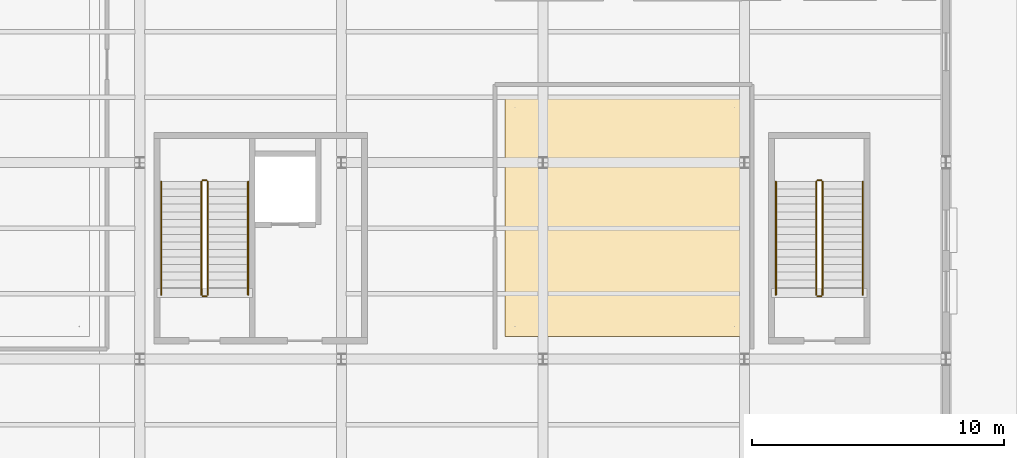
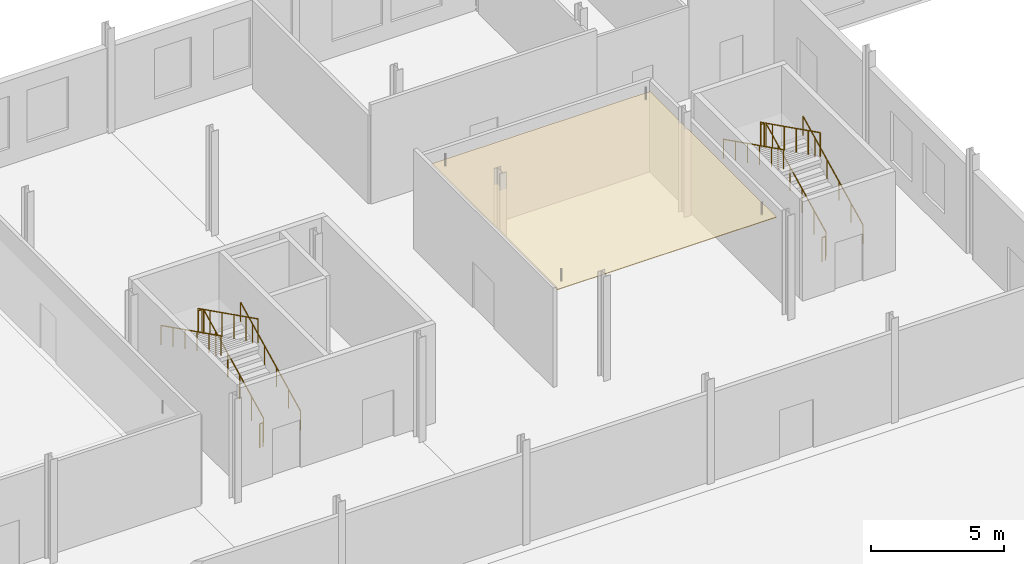
# One storey, part 77 of 82: 12 railings, 1 covering.
"""IFC4 building model written with IfcOpenShell, lengths in metres."""

from ifc_helpers import new_model, si_unit, direction, frame, origin, origin_2d, place, context, subcontext, project, spatial, polyline, circle, outline, extrude, material, layer, layer_set, type_object, element, save


model = new_model("IFC4")

# Units and contexts
model_context = context("Model", 3, precision=1e-05, world=origin(), true_north=direction((0.0, 1.0)))
body_context = subcontext(model_context, "Body", "Model", "MODEL_VIEW")
ifc_project = project(units=[si_unit("LENGTHUNIT", "METRE"), si_unit("AREAUNIT", "SQUARE_METRE"), si_unit("VOLUMEUNIT", "CUBIC_METRE"), si_unit("PLANEANGLEUNIT", "RADIAN"), si_unit("MASSUNIT", "GRAM", prefix="KILO")], contexts=[model_context])

# Site, building, storey
site_placement = place(None, origin())
site = spatial("IfcSite", under=ifc_project, at=site_placement, CompositionType="ELEMENT")
building_placement = place(site_placement, origin())
building = spatial("IfcBuilding", under=site, at=building_placement, Name="Yukiwa Park Conservatory and Herbarium", CompositionType="ELEMENT")
storey_placement = place(building_placement, origin())
storey = spatial("IfcBuildingStorey", under=building, at=storey_placement, Name="L00", CompositionType="ELEMENT", Elevation=0.0)

# Covering
ifc_material_1 = material(Name="Acoustic Mineral Fibre Ceiling")
ifc_layer_1 = layer(ifc_material_1, 0.030029296875)
ifc_layer_set_1 = layer_set([ifc_layer_1], Name="Acoustic Mineral Fibre Ceiling")
covering_type = type_object("IfcCoveringType", Name="COV-CEIL-ACOUSTIC", PredefinedType="CEILING", material=ifc_layer_set_1)
covering_placement = place(storey_placement, frame((0.0, 0.0, 4.0)))
element("IfcCovering", 1, at=covering_placement, inside=storey, type_object=covering_type, Name="L00 acoustic suspended ceiling CLG-L00-EXH", PredefinedType="CEILING", context=body_context, shape_type="SweptSolid", body=[
    extrude(outline(polyline([(90.5, 55.5), (100.0, 55.5), (100.0, 65.0), (90.5, 65.0), (90.5, 55.5)])), origin(), (0.0, 0.0, 1.0), 0.030029296875),
])

# Railings
ifc_material_2 = material(Name="Steel Q235B", Category="steel")
ifc_layer_2 = layer(ifc_material_2, 0.050048828125)
ifc_layer_set_2 = layer_set([ifc_layer_2], Name="Steel Q235B")
railing_type_1 = type_object("IfcRailingType", Name="RL-STAIR-GUARD-1120", PredefinedType="BALUSTRADE", material=ifc_layer_set_2)
railing_1_placement = place(storey_placement, frame((78.699951171875, 57.14990234375, 0.14990234375)))
element("IfcRailing", 2, at=railing_1_placement, inside=storey, type_object=railing_type_1, Name="L00 ST-V1 stair guard 1", PredefinedType="BALUSTRADE", context=body_context, shape_type="SweptSolid", body=[
    extrude(circle(Radius=0.02392578125, at=origin_2d()), frame((0.0, 0.0, 1.09619140625), z_axis=(0.0, 0.894427191, 0.4472135955), x_axis=(-1.0, 0.0, 0.0)), (0.0, 0.0, 1.0), 5.03125),
    extrude(circle(Radius=0.02099609375, at=origin_2d()), origin(), (0.0, 0.0, 1.0), 1.072021484375),
    extrude(circle(Radius=0.02099609375, at=origin_2d()), frame((0.0, 0.89990234375, 0.449951171875)), (0.0, 0.0, 1.0), 1.072021484375),
    extrude(circle(Radius=0.02099609375, at=origin_2d()), frame((0.0, 1.800048828125, 0.89990234375)), (0.0, 0.0, 1.0), 1.072021484375),
    extrude(circle(Radius=0.02099609375, at=origin_2d()), frame((0.0, 2.699951171875, 1.35009765625)), (0.0, 0.0, 1.0), 1.072021484375),
    extrude(circle(Radius=0.02099609375, at=origin_2d()), frame((0.0, 3.60009765625, 1.800048828125)), (0.0, 0.0, 1.0), 1.072021484375),
    extrude(circle(Radius=0.02099609375, at=origin_2d()), frame((0.0, 4.5, 2.25)), (0.0, 0.0, 1.0), 1.072021484375),
])
railing_2_placement = place(storey_placement, frame((78.64990234375, 61.699951171875, 2.39990234375)))
element("IfcRailing", 3, at=railing_2_placement, inside=storey, type_object=railing_type_1, Name="L00 ST-V1 stair guard 2", PredefinedType="BALUSTRADE", context=body_context, shape_type="SweptSolid", body=[
    extrude(circle(Radius=0.02392578125, at=origin_2d()), frame((0.0, 0.0, 1.09619140625), z_axis=(-1.0, 0.0, 0.0), x_axis=(0.0, -1.0, 0.0)), (0.0, 0.0, 1.0), 0.14990234375),
    extrude(circle(Radius=0.02099609375, at=origin_2d()), origin(), (0.0, 0.0, 1.0), 1.072021484375),
    extrude(circle(Radius=0.02099609375, at=origin_2d()), frame((-0.14990234375, 0.0, 0.0)), (0.0, 0.0, 1.0), 1.072021484375),
])
railing_3_placement = place(storey_placement, frame((78.449951171875, 61.64990234375, 2.550048828125)))
element("IfcRailing", 4, at=railing_3_placement, inside=storey, type_object=railing_type_1, Name="L00 ST-V1 stair guard 3", PredefinedType="BALUSTRADE", context=body_context, shape_type="SweptSolid", body=[
    extrude(circle(Radius=0.02392578125, at=origin_2d()), frame((0.0, 0.0, 1.09619140625), z_axis=(0.0, -0.894427191, 0.4472135955), x_axis=(1.0, 0.0, 0.0)), (0.0, 0.0, 1.0), 5.03125),
    extrude(circle(Radius=0.02099609375, at=origin_2d()), origin(), (0.0, 0.0, 1.0), 1.072021484375),
    extrude(circle(Radius=0.02099609375, at=origin_2d()), frame((0.0, -0.89990234375, 0.449951171875)), (0.0, 0.0, 1.0), 1.072021484375),
    extrude(circle(Radius=0.02099609375, at=origin_2d()), frame((0.0, -1.800048828125, 0.89990234375)), (0.0, 0.0, 1.0), 1.072021484375),
    extrude(circle(Radius=0.02099609375, at=origin_2d()), frame((0.0, -2.699951171875, 1.35009765625)), (0.0, 0.0, 1.0), 1.072021484375),
    extrude(circle(Radius=0.02099609375, at=origin_2d()), frame((0.0, -3.60009765625, 1.800048828125)), (0.0, 0.0, 1.0), 1.072021484375),
    extrude(circle(Radius=0.02099609375, at=origin_2d()), frame((0.0, -4.5, 2.25)), (0.0, 0.0, 1.0), 1.072021484375),
])
railing_4_placement = place(storey_placement, frame((78.64990234375, 57.10009765625, 0.0)))
element("IfcRailing", 5, at=railing_4_placement, inside=storey, type_object=railing_type_1, Name="L00 ST-V1 stair guard 4", PredefinedType="BALUSTRADE", context=body_context, shape_type="SweptSolid", body=[
    extrude(circle(Radius=0.02392578125, at=origin_2d()), frame((0.0, 0.0, 1.09619140625), z_axis=(-1.0, 0.0, 0.0), x_axis=(0.0, -1.0, 0.0)), (0.0, 0.0, 1.0), 0.14990234375),
    extrude(circle(Radius=0.02099609375, at=origin_2d()), origin(), (0.0, 0.0, 1.0), 1.072021484375),
    extrude(circle(Radius=0.02099609375, at=origin_2d()), frame((-0.14990234375, 0.0, 0.0)), (0.0, 0.0, 1.0), 1.072021484375),
])
railing_5_placement = place(storey_placement, frame((103.10009765625, 57.14990234375, 0.14990234375)))
element("IfcRailing", 6, at=railing_5_placement, inside=storey, type_object=railing_type_1, Name="L00 ST-V2 stair guard 1", PredefinedType="BALUSTRADE", context=body_context, shape_type="SweptSolid", body=[
    extrude(circle(Radius=0.02392578125, at=origin_2d()), frame((0.0, 0.0, 1.09619140625), z_axis=(0.0, 0.894427191, 0.4472135955), x_axis=(-1.0, 0.0, 0.0)), (0.0, 0.0, 1.0), 5.03125),
    extrude(circle(Radius=0.02099609375, at=origin_2d()), origin(), (0.0, 0.0, 1.0), 1.072021484375),
    extrude(circle(Radius=0.02099609375, at=origin_2d()), frame((0.0, 0.89990234375, 0.449951171875)), (0.0, 0.0, 1.0), 1.072021484375),
    extrude(circle(Radius=0.02099609375, at=origin_2d()), frame((0.0, 1.800048828125, 0.89990234375)), (0.0, 0.0, 1.0), 1.072021484375),
    extrude(circle(Radius=0.02099609375, at=origin_2d()), frame((0.0, 2.699951171875, 1.35009765625)), (0.0, 0.0, 1.0), 1.072021484375),
    extrude(circle(Radius=0.02099609375, at=origin_2d()), frame((0.0, 3.60009765625, 1.800048828125)), (0.0, 0.0, 1.0), 1.072021484375),
    extrude(circle(Radius=0.02099609375, at=origin_2d()), frame((0.0, 4.5, 2.25)), (0.0, 0.0, 1.0), 1.072021484375),
])
railing_6_placement = place(storey_placement, frame((103.050048828125, 61.699951171875, 2.39990234375)))
element("IfcRailing", 7, at=railing_6_placement, inside=storey, type_object=railing_type_1, Name="L00 ST-V2 stair guard 2", PredefinedType="BALUSTRADE", context=body_context, shape_type="SweptSolid", body=[
    extrude(circle(Radius=0.02392578125, at=origin_2d()), frame((0.0, 0.0, 1.09619140625), z_axis=(-1.0, 0.0, 0.0), x_axis=(0.0, -1.0, 0.0)), (0.0, 0.0, 1.0), 0.150146484375),
    extrude(circle(Radius=0.02099609375, at=origin_2d()), origin(), (0.0, 0.0, 1.0), 1.072021484375),
    extrude(circle(Radius=0.02099609375, at=origin_2d()), frame((-0.150146484375, 0.0, 0.0)), (0.0, 0.0, 1.0), 1.072021484375),
])
railing_7_placement = place(storey_placement, frame((102.85009765625, 61.64990234375, 2.550048828125)))
element("IfcRailing", 8, at=railing_7_placement, inside=storey, type_object=railing_type_1, Name="L00 ST-V2 stair guard 3", PredefinedType="BALUSTRADE", context=body_context, shape_type="SweptSolid", body=[
    extrude(circle(Radius=0.02392578125, at=origin_2d()), frame((0.0, 0.0, 1.09619140625), z_axis=(0.0, -0.894427191, 0.4472135955), x_axis=(1.0, 0.0, 0.0)), (0.0, 0.0, 1.0), 5.03125),
    extrude(circle(Radius=0.02099609375, at=origin_2d()), origin(), (0.0, 0.0, 1.0), 1.072021484375),
    extrude(circle(Radius=0.02099609375, at=origin_2d()), frame((0.0, -0.89990234375, 0.449951171875)), (0.0, 0.0, 1.0), 1.072021484375),
    extrude(circle(Radius=0.02099609375, at=origin_2d()), frame((0.0, -1.800048828125, 0.89990234375)), (0.0, 0.0, 1.0), 1.072021484375),
    extrude(circle(Radius=0.02099609375, at=origin_2d()), frame((0.0, -2.699951171875, 1.35009765625)), (0.0, 0.0, 1.0), 1.072021484375),
    extrude(circle(Radius=0.02099609375, at=origin_2d()), frame((0.0, -3.60009765625, 1.800048828125)), (0.0, 0.0, 1.0), 1.072021484375),
    extrude(circle(Radius=0.02099609375, at=origin_2d()), frame((0.0, -4.5, 2.25)), (0.0, 0.0, 1.0), 1.072021484375),
])
railing_8_placement = place(storey_placement, frame((103.050048828125, 57.10009765625, 0.0)))
element("IfcRailing", 9, at=railing_8_placement, inside=storey, type_object=railing_type_1, Name="L00 ST-V2 stair guard 4", PredefinedType="BALUSTRADE", context=body_context, shape_type="SweptSolid", body=[
    extrude(circle(Radius=0.02392578125, at=origin_2d()), frame((0.0, 0.0, 1.09619140625), z_axis=(-1.0, 0.0, 0.0), x_axis=(0.0, -1.0, 0.0)), (0.0, 0.0, 1.0), 0.150146484375),
    extrude(circle(Radius=0.02099609375, at=origin_2d()), origin(), (0.0, 0.0, 1.0), 1.072021484375),
    extrude(circle(Radius=0.02099609375, at=origin_2d()), frame((-0.150146484375, 0.0, 0.0)), (0.0, 0.0, 1.0), 1.072021484375),
])
ifc_material_3 = material(Name="Steel Q235B", Category="steel")
ifc_layer_3 = layer(ifc_material_3, 0.044921875)
ifc_layer_set_3 = layer_set([ifc_layer_3], Name="Steel Q235B")
railing_type_2 = type_object("IfcRailingType", Name="RL-STAIR-RAIL-900", PredefinedType="HANDRAIL", material=ifc_layer_set_3)
railing_9_placement = place(storey_placement, frame((80.300048828125, 57.14990234375, 0.14990234375)))
element("IfcRailing", 10, at=railing_9_placement, inside=storey, type_object=railing_type_2, Name="L00 ST-V1 stair handrail 1", PredefinedType="HANDRAIL", context=body_context, shape_type="SweptSolid", body=[
    extrude(circle(Radius=0.02392578125, at=origin_2d()), frame((0.0, 0.0, 0.8759765625), z_axis=(0.0, 0.894427191, 0.4472135955), x_axis=(-1.0, 0.0, 0.0)), (0.0, 0.0, 1.0), 5.03125),
    extrude(circle(Radius=0.02099609375, at=origin_2d()), origin(), (0.0, 0.0, 1.0), 0.851806640625),
    extrude(circle(Radius=0.02099609375, at=origin_2d()), frame((0.0, 0.89990234375, 0.449951171875)), (0.0, 0.0, 1.0), 0.851806640625),
    extrude(circle(Radius=0.02099609375, at=origin_2d()), frame((0.0, 1.800048828125, 0.89990234375)), (0.0, 0.0, 1.0), 0.851806640625),
    extrude(circle(Radius=0.02099609375, at=origin_2d()), frame((0.0, 2.699951171875, 1.35009765625)), (0.0, 0.0, 1.0), 0.851806640625),
    extrude(circle(Radius=0.02099609375, at=origin_2d()), frame((0.0, 3.60009765625, 1.800048828125)), (0.0, 0.0, 1.0), 0.851806640625),
    extrude(circle(Radius=0.02099609375, at=origin_2d()), frame((0.0, 4.5, 2.25)), (0.0, 0.0, 1.0), 0.851806640625),
])
railing_10_placement = place(storey_placement, frame((76.85009765625, 61.64990234375, 2.550048828125)))
element("IfcRailing", 11, at=railing_10_placement, inside=storey, type_object=railing_type_2, Name="L00 ST-V1 stair handrail 2", PredefinedType="HANDRAIL", context=body_context, shape_type="SweptSolid", body=[
    extrude(circle(Radius=0.02392578125, at=origin_2d()), frame((0.0, 0.0, 0.8759765625), z_axis=(0.0, -0.894427191, 0.4472135955), x_axis=(1.0, 0.0, 0.0)), (0.0, 0.0, 1.0), 5.03125),
    extrude(circle(Radius=0.02099609375, at=origin_2d()), origin(), (0.0, 0.0, 1.0), 0.851806640625),
    extrude(circle(Radius=0.02099609375, at=origin_2d()), frame((0.0, -0.89990234375, 0.449951171875)), (0.0, 0.0, 1.0), 0.851806640625),
    extrude(circle(Radius=0.02099609375, at=origin_2d()), frame((0.0, -1.800048828125, 0.89990234375)), (0.0, 0.0, 1.0), 0.851806640625),
    extrude(circle(Radius=0.02099609375, at=origin_2d()), frame((0.0, -2.699951171875, 1.35009765625)), (0.0, 0.0, 1.0), 0.851806640625),
    extrude(circle(Radius=0.02099609375, at=origin_2d()), frame((0.0, -3.60009765625, 1.800048828125)), (0.0, 0.0, 1.0), 0.851806640625),
    extrude(circle(Radius=0.02099609375, at=origin_2d()), frame((0.0, -4.5, 2.25)), (0.0, 0.0, 1.0), 0.851806640625),
])
railing_11_placement = place(storey_placement, frame((104.699951171875, 57.14990234375, 0.14990234375)))
element("IfcRailing", 12, at=railing_11_placement, inside=storey, type_object=railing_type_2, Name="L00 ST-V2 stair handrail 1", PredefinedType="HANDRAIL", context=body_context, shape_type="SweptSolid", body=[
    extrude(circle(Radius=0.02392578125, at=origin_2d()), frame((0.0, 0.0, 0.8759765625), z_axis=(0.0, 0.894427191, 0.4472135955), x_axis=(-1.0, 0.0, 0.0)), (0.0, 0.0, 1.0), 5.03125),
    extrude(circle(Radius=0.02099609375, at=origin_2d()), origin(), (0.0, 0.0, 1.0), 0.851806640625),
    extrude(circle(Radius=0.02099609375, at=origin_2d()), frame((0.0, 0.89990234375, 0.449951171875)), (0.0, 0.0, 1.0), 0.851806640625),
    extrude(circle(Radius=0.02099609375, at=origin_2d()), frame((0.0, 1.800048828125, 0.89990234375)), (0.0, 0.0, 1.0), 0.851806640625),
    extrude(circle(Radius=0.02099609375, at=origin_2d()), frame((0.0, 2.699951171875, 1.35009765625)), (0.0, 0.0, 1.0), 0.851806640625),
    extrude(circle(Radius=0.02099609375, at=origin_2d()), frame((0.0, 3.60009765625, 1.800048828125)), (0.0, 0.0, 1.0), 0.851806640625),
    extrude(circle(Radius=0.02099609375, at=origin_2d()), frame((0.0, 4.5, 2.25)), (0.0, 0.0, 1.0), 0.851806640625),
])
railing_12_placement = place(storey_placement, frame((101.25, 61.64990234375, 2.550048828125)))
element("IfcRailing", 13, at=railing_12_placement, inside=storey, type_object=railing_type_2, Name="L00 ST-V2 stair handrail 2", PredefinedType="HANDRAIL", context=body_context, shape_type="SweptSolid", body=[
    extrude(circle(Radius=0.02392578125, at=origin_2d()), frame((0.0, 0.0, 0.8759765625), z_axis=(0.0, -0.894427191, 0.4472135955), x_axis=(1.0, 0.0, 0.0)), (0.0, 0.0, 1.0), 5.03125),
    extrude(circle(Radius=0.02099609375, at=origin_2d()), origin(), (0.0, 0.0, 1.0), 0.851806640625),
    extrude(circle(Radius=0.02099609375, at=origin_2d()), frame((0.0, -0.89990234375, 0.449951171875)), (0.0, 0.0, 1.0), 0.851806640625),
    extrude(circle(Radius=0.02099609375, at=origin_2d()), frame((0.0, -1.800048828125, 0.89990234375)), (0.0, 0.0, 1.0), 0.851806640625),
    extrude(circle(Radius=0.02099609375, at=origin_2d()), frame((0.0, -2.699951171875, 1.35009765625)), (0.0, 0.0, 1.0), 0.851806640625),
    extrude(circle(Radius=0.02099609375, at=origin_2d()), frame((0.0, -3.60009765625, 1.800048828125)), (0.0, 0.0, 1.0), 0.851806640625),
    extrude(circle(Radius=0.02099609375, at=origin_2d()), frame((0.0, -4.5, 2.25)), (0.0, 0.0, 1.0), 0.851806640625),
])

save(model, "model.ifc")
